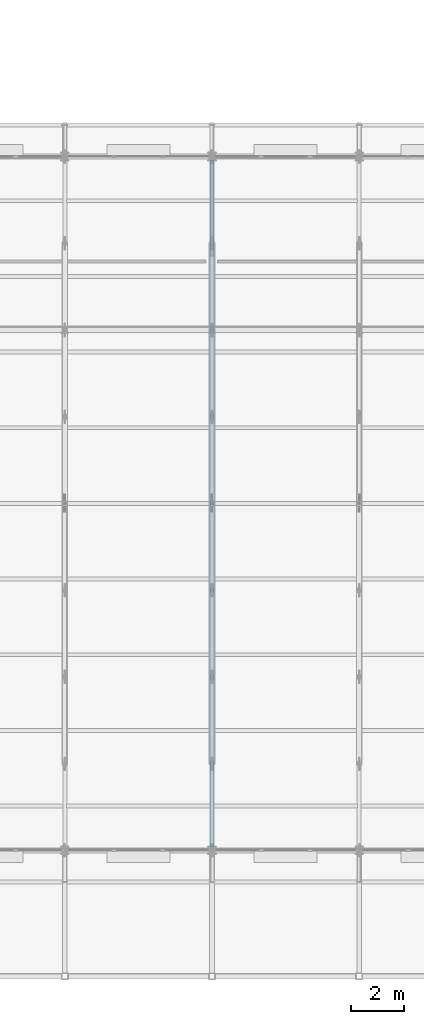
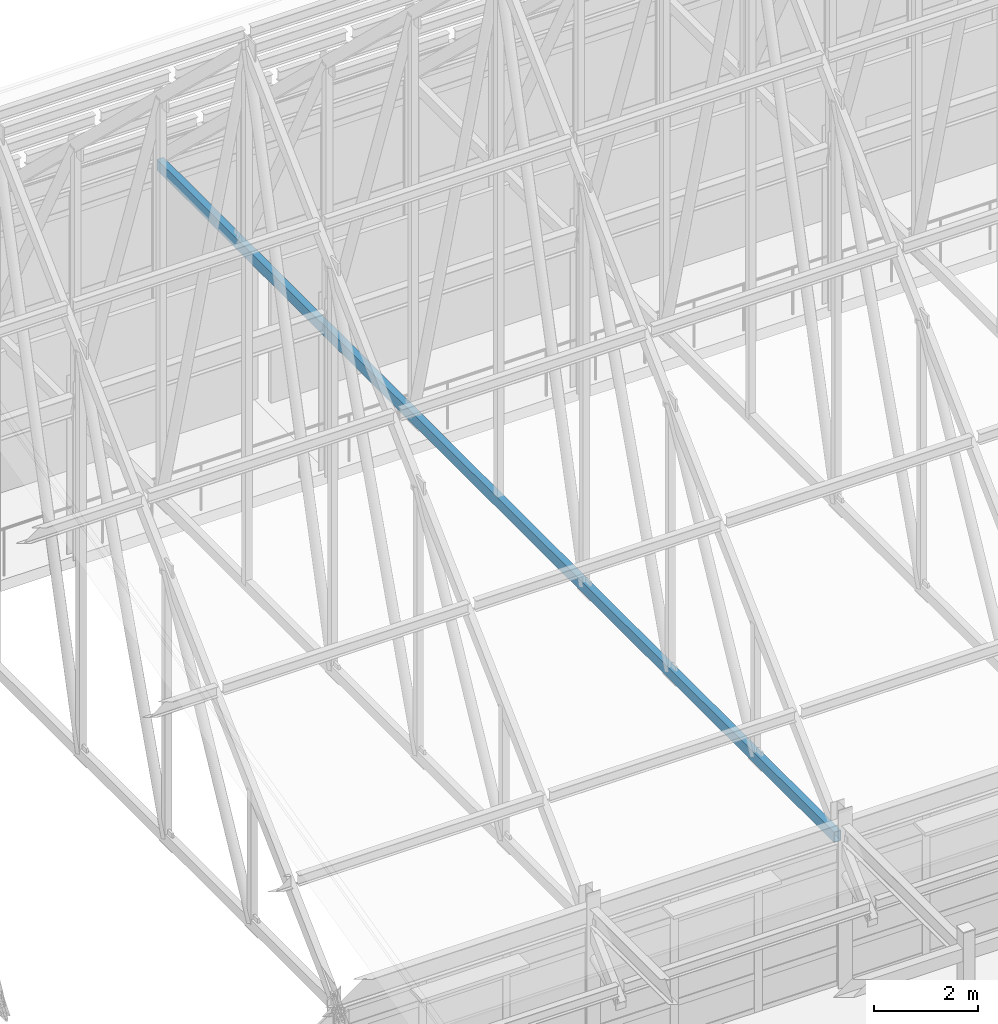
# One storey, part 37 of 144: 1 member.
"""IFC4 building model written with IfcOpenShell, lengths in metres."""

import ifcopenshell
import ifcopenshell.guid

model = None  # the IFC model being written
_history = None  # IfcOwnerHistory: only IFC2X3 demands one
_inside = {}  # id of a spatial element -> (the spatial element, [elements in it])
_under = {}  # id of a project, library or spatial element -> (it, [spatial elements below it])
_declared = {}  # id of a project -> (the project, [libraries it declares])
_typed = {}  # id of a type object -> (the type object, [elements of that type])
_made_of = {}  # id of a material, layer set ... -> (it, [elements and type objects made of it])


def new_model(schema):
    """Start an empty IFC model of exactly this schema.

    Asked for "IFC4X3", IfcOpenShell would pick the latest addendum, in which some entities
    have other attributes; the version numbers below select the first issue.
    IFC2X3 requires an IfcOwnerHistory on every rooted entity: one is made here for all.
    """
    global model, _history
    if schema == "IFC4X3":
        model = ifcopenshell.file(schema_version=(4, 3, 0, 0))
    else:
        model = ifcopenshell.file(schema=schema)
    _inside.clear()
    _under.clear()
    _declared.clear()
    _typed.clear()
    _made_of.clear()
    _history = None
    if model.schema == "IFC2X3":
        org = make("IfcOrganization", Name="unknown")
        user = make(
            "IfcPersonAndOrganization",
            ThePerson=make("IfcPerson", FamilyName="unknown"),
            TheOrganization=org,
        )
        app = make(
            "IfcApplication",
            ApplicationDeveloper=org,
            Version="unknown",
            ApplicationFullName="unknown",
            ApplicationIdentifier="unknown",
        )
        _history = make(
            "IfcOwnerHistory",
            OwningUser=user,
            OwningApplication=app,
            ChangeAction="ADDED",
            CreationDate=0,
        )
    return model


def make(cls, **values):
    """One entity of the class cls with the attributes given. An attribute that is None is left unset."""
    return model.create_entity(
        cls, **{name: value for name, value in values.items() if value is not None}
    )


def rooted(cls, **values):
    """An entity with a GlobalId (a new one), such as an element, a storey or a relation."""
    return make(cls, GlobalId=ifcopenshell.guid.new(), OwnerHistory=_history, **values)


def si_unit(unit_type, name, prefix=None):
    """IfcSIUnit, for example si_unit("LENGTHUNIT", "METRE", prefix="MILLI")."""
    return make("IfcSIUnit", UnitType=unit_type, Prefix=prefix, Name=name)


def assignment(units):
    """IfcUnitAssignment: the units of a project."""
    return None if units is None else make("IfcUnitAssignment", Units=units)


def point(xyz):
    """IfcCartesianPoint."""
    return None if xyz is None else make("IfcCartesianPoint", Coordinates=xyz)


def direction(xyz):
    """IfcDirection."""
    return None if xyz is None else make("IfcDirection", DirectionRatios=xyz)


def frame(location, z_axis=None, x_axis=None):
    """IfcAxis2Placement3D, a coordinate frame: its origin and axes. An axis left out is left unset."""
    return make(
        "IfcAxis2Placement3D",
        Location=point(location),
        Axis=direction(z_axis),
        RefDirection=direction(x_axis),
    )


def frame_2d(location, x_axis=None):
    """IfcAxis2Placement2D, a coordinate frame in the plane: its origin and x axis."""
    return make(
        "IfcAxis2Placement2D", Location=point(location), RefDirection=direction(x_axis)
    )


def origin():
    """The frame at (0, 0, 0) with its axes left unset."""
    return frame((0.0, 0.0, 0.0))


def origin_2d():
    """The frame at (0, 0) in the plane with its x axis left unset."""
    return frame_2d((0.0, 0.0))


def place(relative_to, where):
    """IfcLocalPlacement: puts the frame where relative to a parent placement (None: the world)."""
    return make(
        "IfcLocalPlacement", PlacementRelTo=relative_to, RelativePlacement=where
    )


def context(
    kind, dimensions, precision=None, world=None, true_north=None, identifier=None
):
    """IfcGeometricRepresentationContext, for example the 3D "Model" context."""
    return make(
        "IfcGeometricRepresentationContext",
        ContextIdentifier=identifier,
        ContextType=kind,
        CoordinateSpaceDimension=dimensions,
        Precision=precision,
        WorldCoordinateSystem=world,
        TrueNorth=true_north,
    )


def subcontext(parent, identifier, kind, view, scale=None):
    """IfcGeometricRepresentationSubContext, for example "Body" below "Model"."""
    return make(
        "IfcGeometricRepresentationSubContext",
        ContextIdentifier=identifier,
        ContextType=kind,
        ParentContext=parent,
        TargetScale=scale,
        TargetView=view,
    )


def project(units=None, contexts=None):
    """IfcProject with its units and contexts."""
    return rooted(
        "IfcProject",
        Name="project",
        RepresentationContexts=contexts,
        UnitsInContext=assignment(units),
    )


def spatial(cls, under=None, at=None, **own):
    """A site, building, storey or space (cls), placed at a placement, below another one or the project."""
    s = rooted(cls, ObjectPlacement=at, **own)
    if under is not None:
        _under.setdefault(under.id(), (under, []))[1].append(s)
    return s


def profile(cls, at=None, kind="AREA", **sizes):
    """A parametric profile (cls). Its sizes go by their IFC names, for example OverallWidth=200.0."""
    return make(cls, ProfileType=kind, Position=at, **sizes)


def hollow_rectangle(**sizes):
    """IfcRectangleHollowProfileDef."""
    return profile("IfcRectangleHollowProfileDef", **sizes)


def extrude(swept, where, along, depth):
    """IfcExtrudedAreaSolid: the profile swept, set in the frame where, extruded along a direction by depth."""
    return make(
        "IfcExtrudedAreaSolid",
        SweptArea=swept,
        Position=where,
        ExtrudedDirection=direction(along),
        Depth=depth,
    )


def shape(context_of_items, identifier, shape_type, items):
    """IfcShapeRepresentation: the items that make up one representation, for example the "Body"."""
    return make(
        "IfcShapeRepresentation",
        ContextOfItems=context_of_items,
        RepresentationIdentifier=identifier,
        RepresentationType=shape_type,
        Items=items,
    )


def material(Name=None, Category=None):
    """IfcMaterial."""
    return make("IfcMaterial", Name=Name, Category=Category)


def material_profile(
    of_material, cross_section, Name=None, Category=None, Priority=None
):
    """IfcMaterialProfile: a cross section and its material."""
    return make(
        "IfcMaterialProfile",
        Name=Name,
        Material=of_material,
        Profile=cross_section,
        Priority=Priority,
        Category=Category,
    )


def profile_set(profiles, Name=None, composite=None):
    """IfcMaterialProfileSet."""
    return make(
        "IfcMaterialProfileSet",
        Name=Name,
        MaterialProfiles=profiles,
        CompositeProfile=composite,
    )


def made_of(thing, what):
    """Note that an element or type object is made of a material, layer set ...; save() writes the relation."""
    if what is not None:
        _made_of.setdefault(what.id(), (what, []))[1].append(thing)
    return thing


def type_object(cls, material=None, **own):
    """A type object (cls), such as IfcWallType, which elements share."""
    return made_of(rooted(cls, **own), material)


def element(
    cls,
    number,
    at=None,
    inside=None,
    cuts=None,
    type_object=None,
    material=None,
    context=None,
    identifier="Body",
    shape_type=None,
    held_by="IfcProductDefinitionShape",
    body=None,
    shapes=None,
    **own,
):
    """One element of the class cls, such as IfcWall. Its Tag is "e" and its number.

    at: its placement. inside: the storey or other place that contains it. cuts: it is an
    opening in that element (IfcRelVoidsElement). A single representation is given by context,
    identifier, shape_type and body (its items); several are given by shapes. held_by: the class
    of the entity that holds the representations. save() writes the other relations.
    """
    e = rooted(cls, Tag="e%d" % number, ObjectPlacement=at, **own)
    if body is not None:
        shapes = [shape(context, identifier, shape_type, body)]
    if shapes is not None:
        e.Representation = make(held_by, Representations=shapes)
    if inside is not None:
        _inside.setdefault(inside.id(), (inside, []))[1].append(e)
    if cuts is not None:
        rooted(
            "IfcRelVoidsElement", RelatingBuildingElement=cuts, RelatedOpeningElement=e
        )
    if type_object is not None:
        _typed.setdefault(type_object.id(), (type_object, []))[1].append(e)
    return made_of(e, material)


def aggregate(whole, parts):
    """IfcRelAggregates: a whole, such as a stair, and the parts it consists of."""
    return rooted("IfcRelAggregates", RelatingObject=whole, RelatedObjects=parts)


def save(model, path):
    """Write the relations noted so far, then the file.

    IfcRelAggregates (storeys below a building ...), IfcRelContainedInSpatialStructure (elements
    in a storey), IfcRelDefinesByType, IfcRelAssociatesMaterial and IfcRelDeclares: one each for
    every whole, place, type object, material and project.
    """
    for whole, parts in _under.values():
        aggregate(whole, parts)
    for where, things in _inside.values():
        rooted(
            "IfcRelContainedInSpatialStructure",
            RelatedElements=things,
            RelatingStructure=where,
        )
    for kind, things in _typed.values():
        rooted("IfcRelDefinesByType", RelatedObjects=things, RelatingType=kind)
    for what, things in _made_of.values():
        rooted("IfcRelAssociatesMaterial", RelatedObjects=things, RelatingMaterial=what)
    for by, libraries in _declared.values():
        rooted("IfcRelDeclares", RelatingContext=by, RelatedDefinitions=libraries)
    model.write(path)


model = new_model("IFC4")

# Units and contexts
model_context = context("Model", 3, precision=1e-05, world=origin(), true_north=direction((0.0, 1.0)))
body_context = subcontext(model_context, "Body", "Model", "MODEL_VIEW")
ifc_project = project(units=[si_unit("LENGTHUNIT", "METRE"), si_unit("AREAUNIT", "SQUARE_METRE"), si_unit("VOLUMEUNIT", "CUBIC_METRE"), si_unit("PLANEANGLEUNIT", "RADIAN"), si_unit("MASSUNIT", "GRAM", prefix="KILO")], contexts=[model_context])

# Site, building, storey
site_placement = place(None, origin())
site = spatial("IfcSite", under=ifc_project, at=site_placement, CompositionType="ELEMENT")
building_placement = place(site_placement, origin())
building = spatial("IfcBuilding", under=site, at=building_placement, Name="Trelmorton Wharf Fire Station", CompositionType="ELEMENT")
storey_placement = place(building_placement, frame((0.0, 0.0, 5.39990234375)))
storey = spatial("IfcBuildingStorey", under=building, at=storey_placement, Name="L01", CompositionType="ELEMENT", Elevation=5.39990234375)

# Member
ifc_material = material(Name="Steel C350L0 (350 MPa)", Category="steel")
ifc_material_profile = material_profile(ifc_material, hollow_rectangle(XDim=0.14990234375, YDim=0.25, WallThickness=0.009033203125, at=origin_2d()), Name="250x150x9.0RHS")
ifc_profile_set = profile_set([ifc_material_profile], Name="Steel C350L0 (350 MPa)")
member_type = type_object("IfcMemberType", Name="TR_CHORD_250RHS", PredefinedType="CHORD", material=ifc_profile_set)
member_placement = place(storey_placement, frame((28.800048828125, 7.95361328125, 3.351806640625), z_axis=(0.0, 1.0, 0.0), x_axis=(-1.0, 0.0, 0.0)))
element("IfcMember", 1, at=member_placement, inside=storey, type_object=member_type, Name="V1-TR06-BC", PredefinedType="CHORD", context=body_context, shape_type="SweptSolid", body=[
    extrude(hollow_rectangle(XDim=0.14990234375, YDim=0.25, WallThickness=0.009033203125, at=origin_2d()), origin(), (0.0, 0.0, 1.0), 26.0927734375),
])

save(model, "model.ifc")
